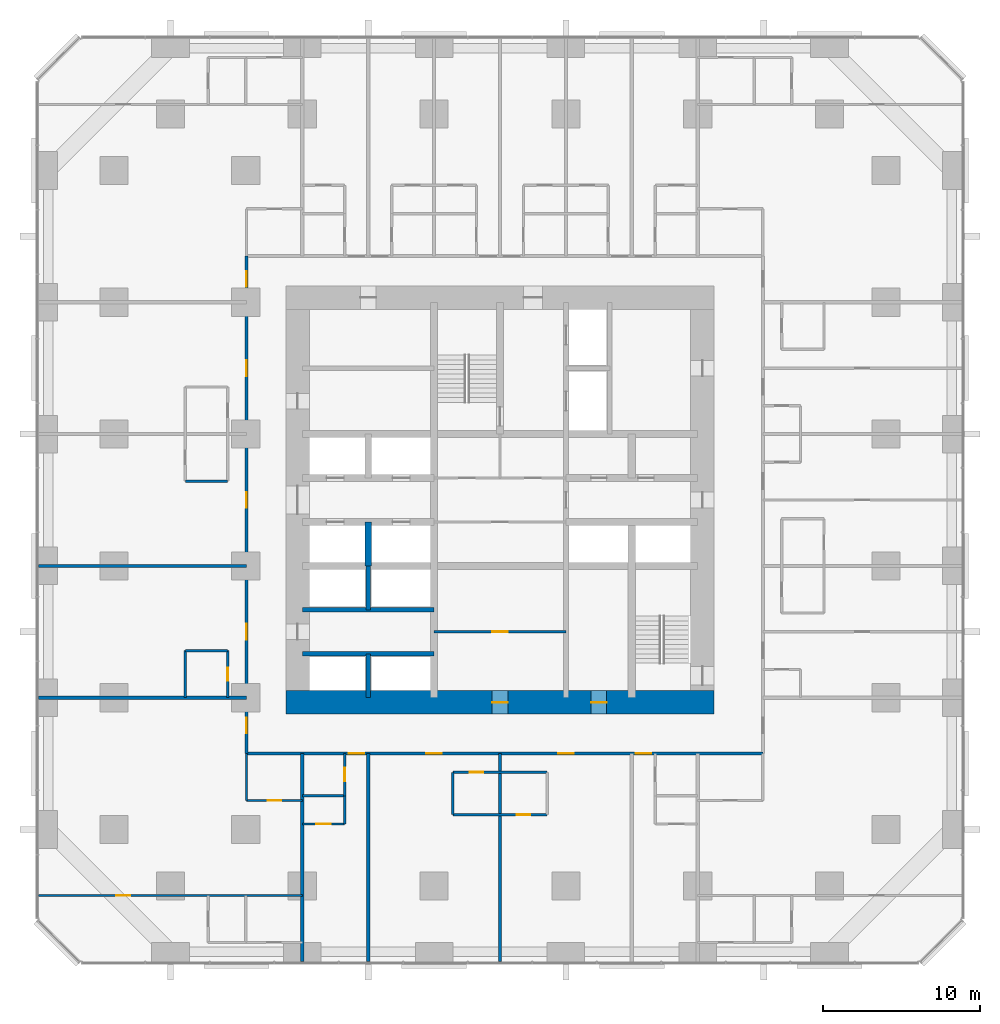
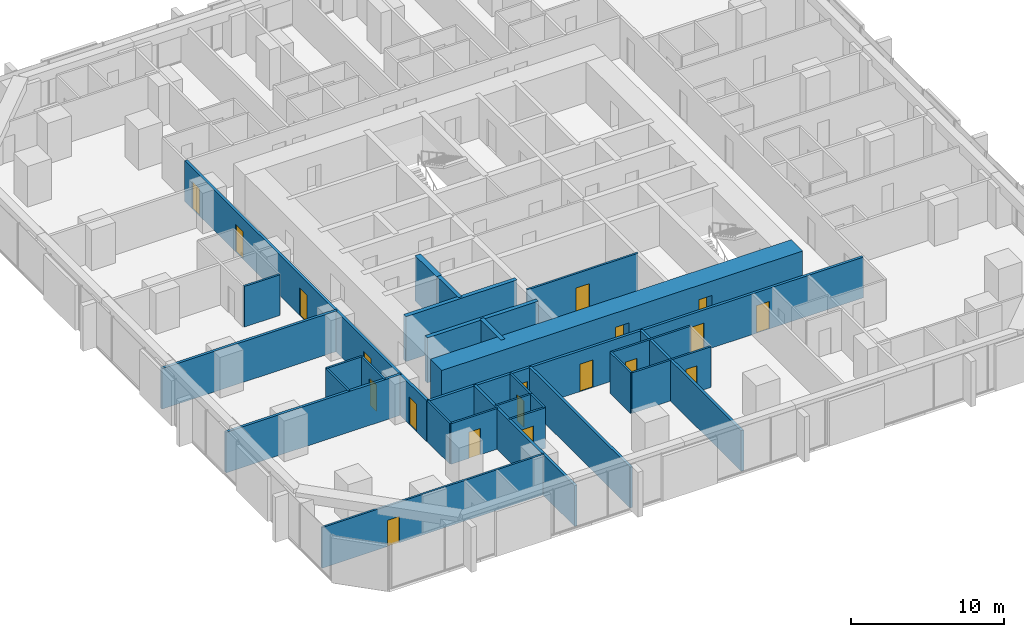
# One storey, part 11 of 17: 28 walls, 19 doors, 19 openings.
"""IFC4 building model written with IfcOpenShell, lengths in metres."""

from ifc_helpers import new_model, si_unit, direction, frame, frame_2d, origin, place, context, subcontext, project, spatial, rectangle, extrude, material, layer, layer_set, type_object, element, fill, save


model = new_model("IFC4")

# Units and contexts
model_context = context("Model", 3, precision=1e-05, world=origin(), true_north=direction((0.0, 1.0)))
body_context = subcontext(model_context, "Body", "Model", "MODEL_VIEW")
ifc_project = project(units=[si_unit("LENGTHUNIT", "METRE"), si_unit("AREAUNIT", "SQUARE_METRE"), si_unit("VOLUMEUNIT", "CUBIC_METRE"), si_unit("PLANEANGLEUNIT", "RADIAN"), si_unit("MASSUNIT", "GRAM", prefix="KILO")], contexts=[model_context])

# Site, building, storey
site_placement = place(None, origin())
site = spatial("IfcSite", under=ifc_project, at=site_placement, CompositionType="ELEMENT")
building_placement = place(site_placement, origin())
building = spatial("IfcBuilding", under=site, at=building_placement, Name="Dunama Terrace Hotel", CompositionType="ELEMENT")
storey_placement = place(building_placement, frame((0.0, 0.0, 63.0)))
storey = spatial("IfcBuildingStorey", under=building, at=storey_placement, Name="L15", CompositionType="ELEMENT", Elevation=63.0)

# Wall
ifc_material_1 = material(Name="Gypsum board partition", Category="masonry")
ifc_layer_1 = layer(ifc_material_1, 0.14990234375)
ifc_layer_set_1 = layer_set([ifc_layer_1], Name="Bathroom partition 150")
wall_type_1 = type_object("IfcWallType", Name="Bathroom partition 150", PredefinedType="PARTITIONING", material=ifc_layer_set_1)
wall_1_placement = place(storey_placement, frame((9.35009765625, 16.800048828125, 0.0), z_axis=(0.0, 0.0, 1.0), x_axis=(0.0, 1.0, 0.0)))
element("IfcWall", 1, at=wall_1_placement, inside=storey, type_object=wall_type_1, Name="Bathroom partition 150 L15", PredefinedType="PARTITIONING", context=body_context, shape_type="SweptSolid", body=[
    extrude(rectangle(XDim=3.0, YDim=0.14990234375, at=frame_2d((1.5, 0.0))), origin(), (0.0, 0.0, 1.0), 3.25),
])

# Wall, opening, door
wall_2_placement = place(storey_placement, frame((12.050048828125, 16.800048828125, 0.0), z_axis=(0.0, 0.0, 1.0), x_axis=(0.0, 1.0, 0.0)))
wall_2 = element("IfcWall", 2, at=wall_2_placement, inside=storey, type_object=wall_type_1, Name="Bathroom partition 150 L15", PredefinedType="PARTITIONING", context=body_context, shape_type="SweptSolid", body=[
    extrude(rectangle(XDim=3.0, YDim=0.14990234375, at=frame_2d((1.5, 0.0))), origin(), (0.0, 0.0, 1.0), 3.25),
])
opening_1_placement = place(wall_2_placement, frame((1.074951171875, 0.0, 0.0)))
opening_1 = element("IfcOpeningElement", 3, at=opening_1_placement, cuts=wall_2, Name="Opening L15-16-050", PredefinedType="OPENING", context=body_context, shape_type="SweptSolid", body=[
    extrude(rectangle(XDim=0.85009765625, YDim=2.10009765625, at=frame_2d((0.425048828125, 1.050048828125))), frame((0.0, 0.0849609375, 0.0), z_axis=(0.0, -1.0, 0.0), x_axis=(1.0, 0.0, 0.0)), (0.0, 0.0, 1.0), 0.169921875),
])
ifc_material_2 = material(Name="Timber door with steel frame", Category="steel")
door_type_1 = type_object("IfcDoorType", Name="Bathroom door 850", OperationType="SINGLE_SWING_LEFT", PredefinedType="DOOR", material=ifc_material_2)
door_1_placement = place(opening_1_placement, origin())
door_1 = element("IfcDoor", 4, at=door_1_placement, inside=storey, type_object=door_type_1, Name="Door to en-suite bathroom L15-16-050, type D2", OperationType="SINGLE_SWING_LEFT", OverallHeight=2.10009765625, OverallWidth=0.85009765625, PredefinedType="DOOR", context=body_context, shape_type="SweptSolid", body=[
    extrude(rectangle(XDim=0.85009765625, YDim=2.10009765625, at=frame_2d((0.425048828125, 1.050048828125))), frame((0.0, 0.02490234375, 0.0), z_axis=(0.0, -1.0, 0.0), x_axis=(1.0, 0.0, 0.0)), (0.0, 0.0, 1.0), 0.050048828125),
])
fill(opening_1, door_1)

# Wall
wall_3_placement = place(storey_placement, frame((13.25, 10.25, 0.0), z_axis=(0.0, 0.0, 1.0), x_axis=(0.0, 1.0, 0.0)))
element("IfcWall", 5, at=wall_3_placement, inside=storey, type_object=wall_type_1, Name="Bathroom partition 150 L15", PredefinedType="PARTITIONING", context=body_context, shape_type="SweptSolid", body=[
    extrude(rectangle(XDim=3.0, YDim=0.14990234375, at=frame_2d((1.5, 0.0))), origin(), (0.0, 0.0, 1.0), 3.25),
])

# Wall, opening, door
wall_4_placement = place(storey_placement, frame((19.5, 10.550048828125, 0.0), z_axis=(0.0, 0.0, 1.0), x_axis=(0.0, 1.0, 0.0)))
wall_4 = element("IfcWall", 6, at=wall_4_placement, inside=storey, type_object=wall_type_1, Name="Bathroom partition 150 L15", PredefinedType="PARTITIONING", context=body_context, shape_type="SweptSolid", body=[
    extrude(rectangle(XDim=2.699951171875, YDim=0.14990234375, at=frame_2d((1.35009765625, 0.0))), origin(), (0.0, 0.0, 1.0), 3.25),
])
opening_2_placement = place(wall_4_placement, frame((0.925048828125, 0.0, 0.0)))
opening_2 = element("IfcOpeningElement", 7, at=opening_2_placement, cuts=wall_4, Name="Opening L15-16-010", PredefinedType="OPENING", context=body_context, shape_type="SweptSolid", body=[
    extrude(rectangle(XDim=0.85009765625, YDim=2.10009765625, at=frame_2d((0.425048828125, 1.050048828125))), frame((0.0, 0.0849609375, 0.0), z_axis=(0.0, -1.0, 0.0), x_axis=(1.0, 0.0, 0.0)), (0.0, 0.0, 1.0), 0.169921875),
])
door_2_placement = place(opening_2_placement, origin())
door_2 = element("IfcDoor", 8, at=door_2_placement, inside=storey, type_object=door_type_1, Name="Door to en-suite bathroom L15-16-010, type D2", OperationType="SINGLE_SWING_RIGHT", OverallHeight=2.10009765625, OverallWidth=0.85009765625, PredefinedType="DOOR", context=body_context, shape_type="SweptSolid", body=[
    extrude(rectangle(XDim=0.85009765625, YDim=2.10009765625, at=frame_2d((0.425048828125, 1.050048828125))), frame((0.0, 0.02490234375, 0.0), z_axis=(0.0, -1.0, 0.0), x_axis=(1.0, 0.0, 0.0)), (0.0, 0.0, 1.0), 0.050048828125),
])
fill(opening_2, door_2)

# Wall
wall_5_placement = place(storey_placement, frame((26.39990234375, 9.35009765625, 0.0), z_axis=(0.0, 0.0, 1.0), x_axis=(0.0, 1.0, 0.0)))
element("IfcWall", 9, at=wall_5_placement, inside=storey, type_object=wall_type_1, Name="Bathroom partition 150 L15", PredefinedType="PARTITIONING", context=body_context, shape_type="SweptSolid", body=[
    extrude(rectangle(XDim=2.699951171875, YDim=0.14990234375, at=frame_2d((1.35009765625, 0.0))), origin(), (0.0, 0.0, 1.0), 3.25),
])

# Wall, opening, door
wall_6_placement = place(storey_placement, frame((26.39990234375, 9.35009765625, 0.0), z_axis=(0.0, 0.0, 1.0), x_axis=(1.0, 0.0, 0.0)))
wall_6 = element("IfcWall", 10, at=wall_6_placement, inside=storey, type_object=wall_type_1, Name="Bathroom partition 150 L15", PredefinedType="PARTITIONING", context=body_context, shape_type="SweptSolid", body=[
    extrude(rectangle(XDim=6.0, YDim=0.14990234375, at=frame_2d((3.0, 0.0))), origin(), (0.0, 0.0, 1.0), 3.25),
])
opening_3_placement = place(wall_6_placement, frame((4.074951171875, 0.0, 0.0)))
opening_3 = element("IfcOpeningElement", 11, at=opening_3_placement, cuts=wall_6, Name="Opening L15-16-015", PredefinedType="OPENING", context=body_context, shape_type="SweptSolid", body=[
    extrude(rectangle(XDim=0.85009765625, YDim=2.10009765625, at=frame_2d((0.425048828125, 1.050048828125))), frame((0.0, 0.0849609375, 0.0), z_axis=(0.0, -1.0, 0.0), x_axis=(1.0, 0.0, 0.0)), (0.0, 0.0, 1.0), 0.169921875),
])
door_3_placement = place(opening_3_placement, origin())
door_3 = element("IfcDoor", 12, at=door_3_placement, inside=storey, type_object=door_type_1, Name="Door to en-suite bathroom L15-16-015, type D2", OperationType="SINGLE_SWING_LEFT", OverallHeight=2.10009765625, OverallWidth=0.85009765625, PredefinedType="DOOR", context=body_context, shape_type="SweptSolid", body=[
    extrude(rectangle(XDim=0.85009765625, YDim=2.10009765625, at=frame_2d((0.425048828125, 1.050048828125))), frame((0.0, 0.02490234375, 0.0), z_axis=(0.0, -1.0, 0.0), x_axis=(1.0, 0.0, 0.0)), (0.0, 0.0, 1.0), 0.050048828125),
])
fill(opening_3, door_3)

wall_7_placement = place(storey_placement, frame((13.25, 10.25, 0.0), z_axis=(0.0, 0.0, 1.0), x_axis=(1.0, 0.0, 0.0)))
wall_7 = element("IfcWall", 13, at=wall_7_placement, inside=storey, type_object=wall_type_1, Name="Bathroom partition 150 L15", PredefinedType="PARTITIONING", context=body_context, shape_type="SweptSolid", body=[
    extrude(rectangle(XDim=3.550048828125, YDim=0.14990234375, at=frame_2d((1.77490234375, 0.0))), origin(), (0.0, 0.0, 1.0), 3.25),
])
opening_4_placement = place(wall_7_placement, frame((1.35009765625, 0.0, 0.0)))
opening_4 = element("IfcOpeningElement", 14, at=opening_4_placement, cuts=wall_7, Name="Opening L15-16-056", PredefinedType="OPENING", context=body_context, shape_type="SweptSolid", body=[
    extrude(rectangle(XDim=0.85009765625, YDim=2.10009765625, at=frame_2d((0.425048828125, 1.050048828125))), frame((0.0, 0.0849609375, 0.0), z_axis=(0.0, -1.0, 0.0), x_axis=(1.0, 0.0, 0.0)), (0.0, 0.0, 1.0), 0.169921875),
])
door_4_placement = place(opening_4_placement, origin())
door_4 = element("IfcDoor", 15, at=door_4_placement, inside=storey, type_object=door_type_1, Name="Door to powder room L15-16-056, type D2", OperationType="SINGLE_SWING_LEFT", OverallHeight=2.10009765625, OverallWidth=0.85009765625, PredefinedType="DOOR", context=body_context, shape_type="SweptSolid", body=[
    extrude(rectangle(XDim=0.85009765625, YDim=2.10009765625, at=frame_2d((0.425048828125, 1.050048828125))), frame((0.0, 0.02490234375, 0.0), z_axis=(0.0, -1.0, 0.0), x_axis=(1.0, 0.0, 0.0)), (0.0, 0.0, 1.0), 0.050048828125),
])
fill(opening_4, door_4)

wall_8_placement = place(storey_placement, frame((26.39990234375, 12.050048828125, 0.0), z_axis=(0.0, 0.0, 1.0), x_axis=(1.0, 0.0, 0.0)))
wall_8 = element("IfcWall", 16, at=wall_8_placement, inside=storey, type_object=wall_type_1, Name="Bathroom partition 150 L15", PredefinedType="PARTITIONING", context=body_context, shape_type="SweptSolid", body=[
    extrude(rectangle(XDim=6.0, YDim=0.14990234375, at=frame_2d((3.0, 0.0))), origin(), (0.0, 0.0, 1.0), 3.25),
])
opening_5_placement = place(wall_8_placement, frame((1.074951171875, 0.0, 0.0)))
opening_5 = element("IfcOpeningElement", 17, at=opening_5_placement, cuts=wall_8, Name="Opening L15-16-013", PredefinedType="OPENING", context=body_context, shape_type="SweptSolid", body=[
    extrude(rectangle(XDim=0.85009765625, YDim=2.10009765625, at=frame_2d((0.425048828125, 1.050048828125))), frame((0.0, 0.0849609375, 0.0), z_axis=(0.0, -1.0, 0.0), x_axis=(1.0, 0.0, 0.0)), (0.0, 0.0, 1.0), 0.169921875),
])
door_5_placement = place(opening_5_placement, frame((0.85009765625, 0.0, 0.0), z_axis=(0.0, 0.0, 1.0), x_axis=(-1.0, 0.0, 0.0)))
door_5 = element("IfcDoor", 18, at=door_5_placement, inside=storey, type_object=door_type_1, Name="Door to en-suite bathroom L15-16-013, type D2", OperationType="SINGLE_SWING_LEFT", OverallHeight=2.10009765625, OverallWidth=0.85009765625, PredefinedType="DOOR", context=body_context, shape_type="SweptSolid", body=[
    extrude(rectangle(XDim=0.85009765625, YDim=2.10009765625, at=frame_2d((0.425048828125, 1.050048828125))), frame((0.0, 0.025146484375, 0.0), z_axis=(0.0, -1.0, 0.0), x_axis=(1.0, 0.0, 0.0)), (0.0, 0.0, 1.0), 0.050048828125),
])
fill(opening_5, door_5)

# Walls
for number, where, z_axis, x_axis, name in (
    (19, (9.35009765625, 19.800048828125, 0.0), (0.0, 0.0, 1.0), (1.0, 0.0, 0.0), "Bathroom partition 150 L15"),
    (20, (9.35009765625, 30.60009765625, 0.0), (0.0, 0.0, 1.0), (1.0, 0.0, 0.0), "Bathroom partition 150 L15"),
):
    element("IfcWall", number, at=place(storey_placement, frame(where, z_axis=z_axis, x_axis=x_axis)), inside=storey, type_object=wall_type_1, Name=name, PredefinedType="PARTITIONING", context=body_context, shape_type="SweptSolid", body=[
        extrude(rectangle(XDim=2.699951171875, YDim=0.14990234375, at=frame_2d((1.35009765625, 0.0))), origin(), (0.0, 0.0, 1.0), 3.25),
    ])
ifc_material_3 = material(Name="Concrete C50/60", Category="concrete")
ifc_layer_2 = layer(ifc_material_3, 0.300048828125)
ifc_layer_set_2 = layer_set([ifc_layer_2], Name="Core inner wall 300")
wall_type_2 = type_object("IfcWallType", Name="Core inner wall 300", PredefinedType="SHEAR", material=ifc_layer_set_2)
for number, where, z_axis, x_axis, name in (
    (21, (21.0, 16.800048828125, -0.35009765625), (0.0, 0.0, 1.0), (0.0, 1.0, 0.0), "Core inner wall 300 L15"),
    (22, (21.0, 22.39990234375, -0.35009765625), (0.0, 0.0, 1.0), (0.0, 1.0, 0.0), "Core inner wall 300 L15"),
):
    element("IfcWall", number, at=place(storey_placement, frame(where, z_axis=z_axis, x_axis=x_axis)), inside=storey, type_object=wall_type_2, Name=name, PredefinedType="SHEAR", context=body_context, shape_type="SweptSolid", body=[
        extrude(rectangle(XDim=2.800048828125, YDim=0.300048828125, at=frame_2d((1.39990234375, 0.0))), origin(), (0.0, 0.0, 1.0), 3.60009765625),
    ])
for number, where, z_axis, x_axis, name in (
    (23, (16.800048828125, 19.60009765625, -0.35009765625), (0.0, 0.0, 1.0), (1.0, 0.0, 0.0), "Core inner wall 300 L15"),
    (24, (16.800048828125, 22.39990234375, -0.35009765625), (0.0, 0.0, 1.0), (1.0, 0.0, 0.0), "Core inner wall 300 L15"),
):
    element("IfcWall", number, at=place(storey_placement, frame(where, z_axis=z_axis, x_axis=x_axis)), inside=storey, type_object=wall_type_2, Name=name, PredefinedType="SHEAR", context=body_context, shape_type="SweptSolid", body=[
        extrude(rectangle(XDim=8.39990234375, YDim=0.300048828125, at=frame_2d((4.199951171875, 0.0))), origin(), (0.0, 0.0, 1.0), 3.60009765625),
    ])
ifc_material_4 = material(Name="Concrete C50/60", Category="concrete")
ifc_layer_3 = layer(ifc_material_4, 0.39990234375)
ifc_layer_set_3 = layer_set([ifc_layer_3], Name="Core inner wall 400")
wall_type_3 = type_object("IfcWallType", Name="Core inner wall 400", PredefinedType="SHEAR", material=ifc_layer_set_3)
wall_9_placement = place(storey_placement, frame((21.0, 25.199951171875, -0.35009765625), z_axis=(0.0, 0.0, 1.0), x_axis=(0.0, 1.0, 0.0)))
element("IfcWall", 25, at=wall_9_placement, inside=storey, type_object=wall_type_3, Name="Core inner wall 400 L15", PredefinedType="SHEAR", context=body_context, shape_type="SweptSolid", body=[
    extrude(rectangle(XDim=2.800048828125, YDim=0.39990234375, at=frame_2d((1.39990234375, 0.0))), origin(), (0.0, 0.0, 1.0), 3.60009765625),
])

# Wall, openings, doors
ifc_material_5 = material(Name="Concrete C60/75", Category="concrete")
ifc_layer_4 = layer(ifc_material_5, 1.5)
ifc_layer_set_4 = layer_set([ifc_layer_4], Name="Core wall 1500")
wall_type_4 = type_object("IfcWallType", Name="Core wall 1500", PredefinedType="SHEAR", material=ifc_layer_set_4)
wall_10_placement = place(storey_placement, frame((15.75, 16.5, -0.35009765625), z_axis=(0.0, 0.0, 1.0), x_axis=(1.0, 0.0, 0.0)))
wall_10 = element("IfcWall", 26, at=wall_10_placement, inside=storey, type_object=wall_type_4, Name="Core wall south L15", PredefinedType="SHEAR", context=body_context, shape_type="SweptSolid", body=[
    extrude(rectangle(XDim=27.300048828125, YDim=1.5, at=frame_2d((13.64990234375, 0.0))), origin(), (0.0, 0.0, 1.0), 3.60009765625),
])
opening_6_placement = place(wall_10_placement, frame((13.14990234375, 0.0, 0.35009765625)))
opening_6 = element("IfcOpeningElement", 27, at=opening_6_placement, cuts=wall_10, Name="Opening L15-16-088", PredefinedType="OPENING", context=body_context, shape_type="SweptSolid", body=[
    extrude(rectangle(XDim=1.0, YDim=2.10009765625, at=frame_2d((0.5, 1.050048828125))), frame((0.0, 0.760009765625, 0.0), z_axis=(0.0, -1.0, 0.0), x_axis=(1.0, 0.0, 0.0)), (0.0, 0.0, 1.0), 1.52001953125),
])
opening_7_placement = place(wall_10_placement, frame((19.449951171875, 0.0, 0.35009765625)))
opening_7 = element("IfcOpeningElement", 28, at=opening_7_placement, cuts=wall_10, Name="Opening L15-16-090", PredefinedType="OPENING", context=body_context, shape_type="SweptSolid", body=[
    extrude(rectangle(XDim=1.0, YDim=2.10009765625, at=frame_2d((0.5, 1.050048828125))), frame((0.0, 0.760009765625, 0.0), z_axis=(0.0, -1.0, 0.0), x_axis=(1.0, 0.0, 0.0)), (0.0, 0.0, 1.0), 1.52001953125),
])
ifc_material_6 = material(Name="Timber door with steel frame", Category="steel")
door_type_2 = type_object("IfcDoorType", Name="Service door 1000", OperationType="SINGLE_SWING_LEFT", PredefinedType="DOOR", material=ifc_material_6)
door_6_placement = place(opening_6_placement, origin())
door_6 = element("IfcDoor", 29, at=door_6_placement, inside=storey, type_object=door_type_2, Name="Door to corridor air handling room L15-16-088, type D7", OperationType="SINGLE_SWING_LEFT", OverallHeight=2.10009765625, OverallWidth=1.0, PredefinedType="DOOR", context=body_context, shape_type="SweptSolid", body=[
    extrude(rectangle(XDim=1.0, YDim=2.10009765625, at=frame_2d((0.5, 1.050048828125))), frame((0.0, 0.02490234375, 0.0), z_axis=(0.0, -1.0, 0.0), x_axis=(1.0, 0.0, 0.0)), (0.0, 0.0, 1.0), 0.050048828125),
])
fill(opening_6, door_6)
door_7_placement = place(opening_7_placement, origin())
door_7 = element("IfcDoor", 30, at=door_7_placement, inside=storey, type_object=door_type_2, Name="Door to water riser room L15-16-090, type D7", OperationType="SINGLE_SWING_RIGHT", OverallHeight=2.10009765625, OverallWidth=1.0, PredefinedType="DOOR", context=body_context, shape_type="SweptSolid", body=[
    extrude(rectangle(XDim=1.0, YDim=2.10009765625, at=frame_2d((0.5, 1.050048828125))), frame((0.0, 0.02490234375, 0.0), z_axis=(0.0, -1.0, 0.0), x_axis=(1.0, 0.0, 0.0)), (0.0, 0.0, 1.0), 0.050048828125),
])
fill(opening_7, door_7)

ifc_material_7 = material(Name="Concrete blockwork", Category="masonry")
ifc_layer_5 = layer(ifc_material_7, 0.199951171875)
ifc_layer_set_5 = layer_set([ifc_layer_5], Name="Corridor partition 200")
wall_type_5 = type_object("IfcWallType", Name="Corridor partition 200", PredefinedType="PARTITIONING", material=ifc_layer_set_5)
wall_11_placement = place(storey_placement, frame((13.25, 13.25, 0.0), z_axis=(0.0, 0.0, 1.0), x_axis=(0.0, 1.0, 0.0)))
wall_11 = element("IfcWall", 31, at=wall_11_placement, inside=storey, type_object=wall_type_5, Name="Corridor partition 200 L15", PredefinedType="PARTITIONING", context=body_context, shape_type="SweptSolid", body=[
    extrude(rectangle(XDim=31.699951171875, YDim=0.199951171875, at=frame_2d((15.85009765625, 0.0))), origin(), (0.0, 0.0, 1.0), 3.25),
])
opening_8_placement = place(wall_11_placement, frame((7.25, 0.0, 0.0)))
opening_8 = element("IfcOpeningElement", 32, at=opening_8_placement, cuts=wall_11, Name="Opening L15-16-049", PredefinedType="OPENING", context=body_context, shape_type="SweptSolid", body=[
    extrude(rectangle(XDim=1.0, YDim=2.199951171875, at=frame_2d((0.5, 1.10009765625))), frame((0.0, 0.10986328125, 0.0), z_axis=(0.0, -1.0, 0.0), x_axis=(1.0, 0.0, 0.0)), (0.0, 0.0, 1.0), 0.219970703125),
])
opening_9_placement = place(wall_11_placement, frame((15.64990234375, 0.0, 0.0)))
opening_9 = element("IfcOpeningElement", 33, at=opening_9_placement, cuts=wall_11, Name="Opening L15-16-051", PredefinedType="OPENING", context=body_context, shape_type="SweptSolid", body=[
    extrude(rectangle(XDim=1.0, YDim=2.199951171875, at=frame_2d((0.5, 1.10009765625))), frame((0.0, 0.10986328125, 0.0), z_axis=(0.0, -1.0, 0.0), x_axis=(1.0, 0.0, 0.0)), (0.0, 0.0, 1.0), 0.219970703125),
])
opening_10_placement = place(wall_11_placement, frame((24.050048828125, 0.0, 0.0)))
opening_10 = element("IfcOpeningElement", 34, at=opening_10_placement, cuts=wall_11, Name="Opening L15-16-053", PredefinedType="OPENING", context=body_context, shape_type="SweptSolid", body=[
    extrude(rectangle(XDim=1.0, YDim=2.199951171875, at=frame_2d((0.5, 1.10009765625))), frame((0.0, 0.10986328125, 0.0), z_axis=(0.0, -1.0, 0.0), x_axis=(1.0, 0.0, 0.0)), (0.0, 0.0, 1.0), 0.219970703125),
])
opening_11_placement = place(wall_11_placement, frame((1.27490234375, 0.0, 0.0)))
opening_11 = element("IfcOpeningElement", 35, at=opening_11_placement, cuts=wall_11, Name="Opening L15-16-055", PredefinedType="OPENING", context=body_context, shape_type="SweptSolid", body=[
    extrude(rectangle(XDim=1.0, YDim=2.199951171875, at=frame_2d((0.5, 1.10009765625))), frame((0.0, 0.10986328125, 0.0), z_axis=(0.0, -1.0, 0.0), x_axis=(1.0, 0.0, 0.0)), (0.0, 0.0, 1.0), 0.219970703125),
])
opening_12_placement = place(wall_11_placement, frame((29.72509765625, 0.0, 0.0)))
opening_12 = element("IfcOpeningElement", 36, at=opening_12_placement, cuts=wall_11, Name="Opening L15-16-070", PredefinedType="OPENING", context=body_context, shape_type="SweptSolid", body=[
    extrude(rectangle(XDim=1.0, YDim=2.199951171875, at=frame_2d((0.5, 1.10009765625))), frame((0.0, 0.10986328125, 0.0), z_axis=(0.0, -1.0, 0.0), x_axis=(1.0, 0.0, 0.0)), (0.0, 0.0, 1.0), 0.219970703125),
])
ifc_material_8 = material(Name="Timber door with steel frame", Category="steel")
door_type_3 = type_object("IfcDoorType", Name="Guest room door 1000", OperationType="SINGLE_SWING_LEFT", PredefinedType="DOOR", material=ifc_material_8)
door_8_placement = place(opening_8_placement, origin())
door_8 = element("IfcDoor", 37, at=door_8_placement, inside=storey, type_object=door_type_3, Name="Door to junior suite L15-16-049, type D1", OperationType="SINGLE_SWING_LEFT", OverallHeight=2.199951171875, OverallWidth=1.0, PredefinedType="DOOR", context=body_context, shape_type="SweptSolid", body=[
    extrude(rectangle(XDim=1.0, YDim=2.199951171875, at=frame_2d((0.5, 1.10009765625))), frame((0.0, 0.02490234375, 0.0), z_axis=(0.0, -1.0, 0.0), x_axis=(1.0, 0.0, 0.0)), (0.0, 0.0, 1.0), 0.050048828125),
])
fill(opening_8, door_8)
door_9_placement = place(opening_9_placement, origin())
door_9 = element("IfcDoor", 38, at=door_9_placement, inside=storey, type_object=door_type_3, Name="Door to junior suite L15-16-051, type D1", OperationType="SINGLE_SWING_RIGHT", OverallHeight=2.199951171875, OverallWidth=1.0, PredefinedType="DOOR", context=body_context, shape_type="SweptSolid", body=[
    extrude(rectangle(XDim=1.0, YDim=2.199951171875, at=frame_2d((0.5, 1.10009765625))), frame((0.0, 0.02490234375, 0.0), z_axis=(0.0, -1.0, 0.0), x_axis=(1.0, 0.0, 0.0)), (0.0, 0.0, 1.0), 0.050048828125),
])
fill(opening_9, door_9)
door_10_placement = place(opening_10_placement, origin())
door_10 = element("IfcDoor", 39, at=door_10_placement, inside=storey, type_object=door_type_3, Name="Door to junior suite L15-16-053, type D1", OperationType="SINGLE_SWING_LEFT", OverallHeight=2.199951171875, OverallWidth=1.0, PredefinedType="DOOR", context=body_context, shape_type="SweptSolid", body=[
    extrude(rectangle(XDim=1.0, YDim=2.199951171875, at=frame_2d((0.5, 1.10009765625))), frame((0.0, 0.02490234375, 0.0), z_axis=(0.0, -1.0, 0.0), x_axis=(1.0, 0.0, 0.0)), (0.0, 0.0, 1.0), 0.050048828125),
])
fill(opening_10, door_10)
door_11_placement = place(opening_11_placement, origin())
door_11 = element("IfcDoor", 40, at=door_11_placement, inside=storey, type_object=door_type_3, Name="Door to corner suite living room L15-16-055, type D1", OperationType="SINGLE_SWING_RIGHT", OverallHeight=2.199951171875, OverallWidth=1.0, PredefinedType="DOOR", context=body_context, shape_type="SweptSolid", body=[
    extrude(rectangle(XDim=1.0, YDim=2.199951171875, at=frame_2d((0.5, 1.10009765625))), frame((0.0, 0.02490234375, 0.0), z_axis=(0.0, -1.0, 0.0), x_axis=(1.0, 0.0, 0.0)), (0.0, 0.0, 1.0), 0.050048828125),
])
fill(opening_11, door_11)
door_12_placement = place(opening_12_placement, origin())
door_12 = element("IfcDoor", 41, at=door_12_placement, inside=storey, type_object=door_type_3, Name="Door to corner suite living room L15-16-070, type D1", OperationType="SINGLE_SWING_LEFT", OverallHeight=2.199951171875, OverallWidth=1.0, PredefinedType="DOOR", context=body_context, shape_type="SweptSolid", body=[
    extrude(rectangle(XDim=1.0, YDim=2.199951171875, at=frame_2d((0.5, 1.10009765625))), frame((0.0, 0.02490234375, 0.0), z_axis=(0.0, -1.0, 0.0), x_axis=(1.0, 0.0, 0.0)), (0.0, 0.0, 1.0), 0.050048828125),
])
fill(opening_12, door_12)

wall_12_placement = place(storey_placement, frame((46.14990234375, 13.25, 0.0), z_axis=(0.0, 0.0, 1.0), x_axis=(-1.0, 0.0, 0.0)))
wall_12 = element("IfcWall", 42, at=wall_12_placement, inside=storey, type_object=wall_type_5, Name="Corridor partition 200 L15", PredefinedType="PARTITIONING", context=body_context, shape_type="SweptSolid", body=[
    extrude(rectangle(XDim=32.89990234375, YDim=0.199951171875, at=frame_2d((16.449951171875, 0.0))), origin(), (0.0, 0.0, 1.0), 3.25),
])
opening_13_placement = place(wall_12_placement, frame((25.39990234375, 0.0, 0.0)))
opening_13 = element("IfcOpeningElement", 43, at=opening_13_placement, cuts=wall_12, Name="Opening L15-16-009", PredefinedType="OPENING", context=body_context, shape_type="SweptSolid", body=[
    extrude(rectangle(XDim=1.0, YDim=2.199951171875, at=frame_2d((0.5, 1.10009765625))), frame((0.0, 0.10986328125, 0.0), z_axis=(0.0, -1.0, 0.0), x_axis=(1.0, 0.0, 0.0)), (0.0, 0.0, 1.0), 0.219970703125),
])
opening_14_placement = place(wall_12_placement, frame((20.449951171875, 0.0, 0.0)))
opening_14 = element("IfcOpeningElement", 44, at=opening_14_placement, cuts=wall_12, Name="Opening L15-16-012", PredefinedType="OPENING", context=body_context, shape_type="SweptSolid", body=[
    extrude(rectangle(XDim=1.0, YDim=2.199951171875, at=frame_2d((0.5, 1.10009765625))), frame((0.0, 0.10986328125, 0.0), z_axis=(0.0, -1.0, 0.0), x_axis=(1.0, 0.0, 0.0)), (0.0, 0.0, 1.0), 0.219970703125),
])
opening_15_placement = place(wall_12_placement, frame((12.050048828125, 0.0, 0.0)))
opening_15 = element("IfcOpeningElement", 45, at=opening_15_placement, cuts=wall_12, Name="Opening L15-16-014", PredefinedType="OPENING", context=body_context, shape_type="SweptSolid", body=[
    extrude(rectangle(XDim=1.0, YDim=2.199951171875, at=frame_2d((0.5, 1.10009765625))), frame((0.0, 0.10986328125, 0.0), z_axis=(0.0, -1.0, 0.0), x_axis=(1.0, 0.0, 0.0)), (0.0, 0.0, 1.0), 0.219970703125),
])
opening_16_placement = place(wall_12_placement, frame((7.10009765625, 0.0, 0.0)))
opening_16 = element("IfcOpeningElement", 46, at=opening_16_placement, cuts=wall_12, Name="Opening L15-16-016", PredefinedType="OPENING", context=body_context, shape_type="SweptSolid", body=[
    extrude(rectangle(XDim=1.0, YDim=2.199951171875, at=frame_2d((0.5, 1.10009765625))), frame((0.0, 0.10986328125, 0.0), z_axis=(0.0, -1.0, 0.0), x_axis=(1.0, 0.0, 0.0)), (0.0, 0.0, 1.0), 0.219970703125),
])
door_13_placement = place(opening_13_placement, origin())
door_13 = element("IfcDoor", 47, at=door_13_placement, inside=storey, type_object=door_type_3, Name="Door to deluxe room L15-16-009, type D1", OperationType="SINGLE_SWING_LEFT", OverallHeight=2.199951171875, OverallWidth=1.0, PredefinedType="DOOR", context=body_context, shape_type="SweptSolid", body=[
    extrude(rectangle(XDim=1.0, YDim=2.199951171875, at=frame_2d((0.5, 1.10009765625))), frame((0.0, 0.02490234375, 0.0), z_axis=(0.0, -1.0, 0.0), x_axis=(1.0, 0.0, 0.0)), (0.0, 0.0, 1.0), 0.050048828125),
])
fill(opening_13, door_13)
door_14_placement = place(opening_14_placement, origin())
door_14 = element("IfcDoor", 48, at=door_14_placement, inside=storey, type_object=door_type_3, Name="Door to junior suite L15-16-012, type D1", OperationType="SINGLE_SWING_LEFT", OverallHeight=2.199951171875, OverallWidth=1.0, PredefinedType="DOOR", context=body_context, shape_type="SweptSolid", body=[
    extrude(rectangle(XDim=1.0, YDim=2.199951171875, at=frame_2d((0.5, 1.10009765625))), frame((0.0, 0.02490234375, 0.0), z_axis=(0.0, -1.0, 0.0), x_axis=(1.0, 0.0, 0.0)), (0.0, 0.0, 1.0), 0.050048828125),
])
fill(opening_14, door_14)
door_15_placement = place(opening_15_placement, origin())
door_15 = element("IfcDoor", 49, at=door_15_placement, inside=storey, type_object=door_type_3, Name="Door to junior suite L15-16-014, type D1", OperationType="SINGLE_SWING_RIGHT", OverallHeight=2.199951171875, OverallWidth=1.0, PredefinedType="DOOR", context=body_context, shape_type="SweptSolid", body=[
    extrude(rectangle(XDim=1.0, YDim=2.199951171875, at=frame_2d((0.5, 1.10009765625))), frame((0.0, 0.02490234375, 0.0), z_axis=(0.0, -1.0, 0.0), x_axis=(1.0, 0.0, 0.0)), (0.0, 0.0, 1.0), 0.050048828125),
])
fill(opening_15, door_15)
door_16_placement = place(opening_16_placement, origin())
door_16 = element("IfcDoor", 50, at=door_16_placement, inside=storey, type_object=door_type_3, Name="Door to deluxe room L15-16-016, type D1", OperationType="SINGLE_SWING_RIGHT", OverallHeight=2.199951171875, OverallWidth=1.0, PredefinedType="DOOR", context=body_context, shape_type="SweptSolid", body=[
    extrude(rectangle(XDim=1.0, YDim=2.199951171875, at=frame_2d((0.5, 1.10009765625))), frame((0.0, 0.02490234375, 0.0), z_axis=(0.0, -1.0, 0.0), x_axis=(1.0, 0.0, 0.0)), (0.0, 0.0, 1.0), 0.050048828125),
])
fill(opening_16, door_16)

# Walls
ifc_material_9 = material(Name="Concrete blockwork", Category="masonry")
ifc_layer_6 = layer(ifc_material_9, 0.199951171875)
ifc_layer_set_6 = layer_set([ifc_layer_6], Name="Party wall 200")
wall_type_6 = type_object("IfcWallType", Name="Party wall 200", PredefinedType="PARTITIONING", material=ifc_layer_set_6)
for number, where, z_axis, x_axis, name in (
    (51, (16.800048828125, -0.008056640625, 0.0), (0.0, 0.0, 1.0), (0.0, 1.0, 0.0), "Party wall 200 L15"),
    (52, (21.0, -0.008056640625, 0.0), (0.0, 0.0, 1.0), (0.0, 1.0, 0.0), "Party wall 200 L15"),
    (53, (29.39990234375, -0.008056640625, 0.0), (0.0, 0.0, 1.0), (0.0, 1.0, 0.0), "Party wall 200 L15"),
    (54, (-0.008056640625, 16.800048828125, 0.0), (0.0, 0.0, 1.0), (1.0, 0.0, 0.0), "Party wall 200 L15"),
    (55, (-0.008056640625, 25.199951171875, 0.0), (0.0, 0.0, 1.0), (1.0, 0.0, 0.0), "Party wall 200 L15"),
):
    element("IfcWall", number, at=place(storey_placement, frame(where, z_axis=z_axis, x_axis=x_axis)), inside=storey, type_object=wall_type_6, Name=name, PredefinedType="PARTITIONING", context=body_context, shape_type="SweptSolid", body=[
        extrude(rectangle(XDim=13.258056640625, YDim=0.199951171875, at=frame_2d((6.62890625, 0.0))), origin(), (0.0, 0.0, 1.0), 3.25),
    ])
ifc_material_10 = material(Name="Gypsum board partition", Category="masonry")
ifc_layer_7 = layer(ifc_material_10, 0.14990234375)
ifc_layer_set_7 = layer_set([ifc_layer_7], Name="Room partition 150")
wall_type_7 = type_object("IfcWallType", Name="Room partition 150", PredefinedType="PARTITIONING", material=ifc_layer_set_7)
wall_13_placement = place(storey_placement, frame((19.5, 8.75, 0.0), z_axis=(0.0, 0.0, 1.0), x_axis=(0.0, 1.0, 0.0)))
element("IfcWall", 56, at=wall_13_placement, inside=storey, type_object=wall_type_7, Name="Room partition 150 L15", PredefinedType="PARTITIONING", context=body_context, shape_type="SweptSolid", body=[
    extrude(rectangle(XDim=1.800048828125, YDim=0.14990234375, at=frame_2d((0.89990234375, 0.0))), origin(), (0.0, 0.0, 1.0), 3.25),
])

# Wall, opening, door
wall_14_placement = place(storey_placement, frame((-0.008056640625, 4.199951171875, 0.0), z_axis=(0.0, 0.0, 1.0), x_axis=(1.0, 0.0, 0.0)))
wall_14 = element("IfcWall", 57, at=wall_14_placement, inside=storey, type_object=wall_type_7, Name="Room partition 150 L15", PredefinedType="PARTITIONING", context=body_context, shape_type="SweptSolid", body=[
    extrude(rectangle(XDim=16.80810546875, YDim=0.14990234375, at=frame_2d((8.404052734375, 0.0))), origin(), (0.0, 0.0, 1.0), 3.25),
])
opening_17_placement = place(wall_14_placement, frame((4.9580078125, 0.0, 0.0)))
opening_17 = element("IfcOpeningElement", 58, at=opening_17_placement, cuts=wall_14, Name="Opening L15-16-057", PredefinedType="OPENING", context=body_context, shape_type="SweptSolid", body=[
    extrude(rectangle(XDim=0.89990234375, YDim=2.10009765625, at=frame_2d((0.449951171875, 1.050048828125))), frame((0.0, 0.0849609375, 0.0), z_axis=(0.0, -1.0, 0.0), x_axis=(1.0, 0.0, 0.0)), (0.0, 0.0, 1.0), 0.169921875),
])
ifc_material_11 = material(Name="Timber door with steel frame", Category="steel")
door_type_4 = type_object("IfcDoorType", Name="Suite internal door 900", OperationType="SINGLE_SWING_LEFT", PredefinedType="DOOR", material=ifc_material_11)
door_17_placement = place(opening_17_placement, frame((0.89990234375, 0.0, 0.0), z_axis=(0.0, 0.0, 1.0), x_axis=(-1.0, 0.0, 0.0)))
door_17 = element("IfcDoor", 59, at=door_17_placement, inside=storey, type_object=door_type_4, Name="Door to corner suite bedroom L15-16-057, type D16", OperationType="SINGLE_SWING_LEFT", OverallHeight=2.10009765625, OverallWidth=0.89990234375, PredefinedType="DOOR", context=body_context, shape_type="SweptSolid", body=[
    extrude(rectangle(XDim=0.89990234375, YDim=2.10009765625, at=frame_2d((0.449951171875, 1.050048828125))), frame((0.0, 0.025146484375, 0.0), z_axis=(0.0, -1.0, 0.0), x_axis=(1.0, 0.0, 0.0)), (0.0, 0.0, 1.0), 0.050048828125),
])
fill(opening_17, door_17)

wall_15_placement = place(storey_placement, frame((16.800048828125, 8.75, 0.0), z_axis=(0.0, 0.0, 1.0), x_axis=(1.0, 0.0, 0.0)))
wall_15 = element("IfcWall", 60, at=wall_15_placement, inside=storey, type_object=wall_type_7, Name="Room partition 150 L15", PredefinedType="PARTITIONING", context=body_context, shape_type="SweptSolid", body=[
    extrude(rectangle(XDim=2.699951171875, YDim=0.14990234375, at=frame_2d((1.35009765625, 0.0))), origin(), (0.0, 0.0, 1.0), 3.25),
])
opening_18_placement = place(wall_15_placement, frame((0.89990234375, 0.0, 0.0)))
opening_18 = element("IfcOpeningElement", 61, at=opening_18_placement, cuts=wall_15, Name="Opening L15-16-011", PredefinedType="OPENING", context=body_context, shape_type="SweptSolid", body=[
    extrude(rectangle(XDim=0.89990234375, YDim=2.10009765625, at=frame_2d((0.449951171875, 1.050048828125))), frame((0.0, 0.0849609375, 0.0), z_axis=(0.0, -1.0, 0.0), x_axis=(1.0, 0.0, 0.0)), (0.0, 0.0, 1.0), 0.169921875),
])
door_18_placement = place(opening_18_placement, origin())
door_18 = element("IfcDoor", 62, at=door_18_placement, inside=storey, type_object=door_type_4, Name="Door to walk-in wardrobe L15-16-011, type D16", OperationType="SINGLE_SWING_LEFT", OverallHeight=2.10009765625, OverallWidth=0.89990234375, PredefinedType="DOOR", context=body_context, shape_type="SweptSolid", body=[
    extrude(rectangle(XDim=0.89990234375, YDim=2.10009765625, at=frame_2d((0.449951171875, 1.050048828125))), frame((0.0, 0.02490234375, 0.0), z_axis=(0.0, -1.0, 0.0), x_axis=(1.0, 0.0, 0.0)), (0.0, 0.0, 1.0), 0.050048828125),
])
fill(opening_18, door_18)

# Wall
wall_16_placement = place(storey_placement, frame((16.800048828125, 10.550048828125, 0.0), z_axis=(0.0, 0.0, 1.0), x_axis=(1.0, 0.0, 0.0)))
element("IfcWall", 63, at=wall_16_placement, inside=storey, type_object=wall_type_7, Name="Room partition 150 L15", PredefinedType="PARTITIONING", context=body_context, shape_type="SweptSolid", body=[
    extrude(rectangle(XDim=2.699951171875, YDim=0.14990234375, at=frame_2d((1.35009765625, 0.0))), origin(), (0.0, 0.0, 1.0), 3.25),
])

# Wall, opening, door
wall_17_placement = place(storey_placement, frame((25.199951171875, 21.0, 0.0), z_axis=(0.0, 0.0, 1.0), x_axis=(1.0, 0.0, 0.0)))
wall_17 = element("IfcWall", 64, at=wall_17_placement, inside=storey, type_object=wall_type_7, Name="Room partition 150 L15", PredefinedType="PARTITIONING", context=body_context, shape_type="SweptSolid", body=[
    extrude(rectangle(XDim=8.400146484375, YDim=0.14990234375, at=frame_2d((4.2001953125, 0.0))), origin(), (0.0, 0.0, 1.0), 3.25),
])
opening_19_placement = place(wall_17_placement, frame((3.699951171875, 0.0, 0.0)))
opening_19 = element("IfcOpeningElement", 65, at=opening_19_placement, cuts=wall_17, Name="Opening L15-16-089", PredefinedType="OPENING", context=body_context, shape_type="SweptSolid", body=[
    extrude(rectangle(XDim=1.0, YDim=2.10009765625, at=frame_2d((0.5, 1.050048828125))), frame((0.0, 0.0849609375, 0.0), z_axis=(0.0, -1.0, 0.0), x_axis=(1.0, 0.0, 0.0)), (0.0, 0.0, 1.0), 0.169921875),
])
door_19_placement = place(opening_19_placement, origin())
door_19 = element("IfcDoor", 66, at=door_19_placement, inside=storey, type_object=door_type_2, Name="Door to stair pressurisation fan room L15-16-089, type D7", OperationType="SINGLE_SWING_LEFT", OverallHeight=2.10009765625, OverallWidth=1.0, PredefinedType="DOOR", context=body_context, shape_type="SweptSolid", body=[
    extrude(rectangle(XDim=1.0, YDim=2.10009765625, at=frame_2d((0.5, 1.050048828125))), frame((0.0, 0.02490234375, 0.0), z_axis=(0.0, -1.0, 0.0), x_axis=(1.0, 0.0, 0.0)), (0.0, 0.0, 1.0), 0.050048828125),
])
fill(opening_19, door_19)

save(model, "model.ifc")
